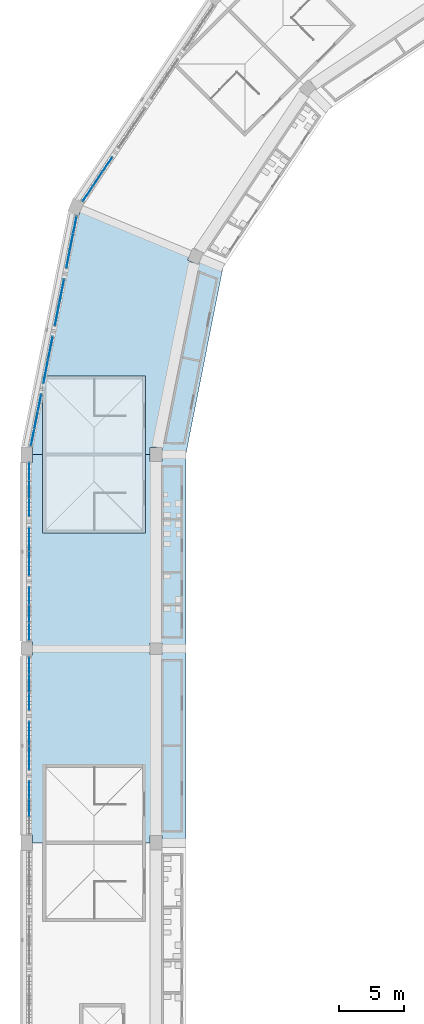
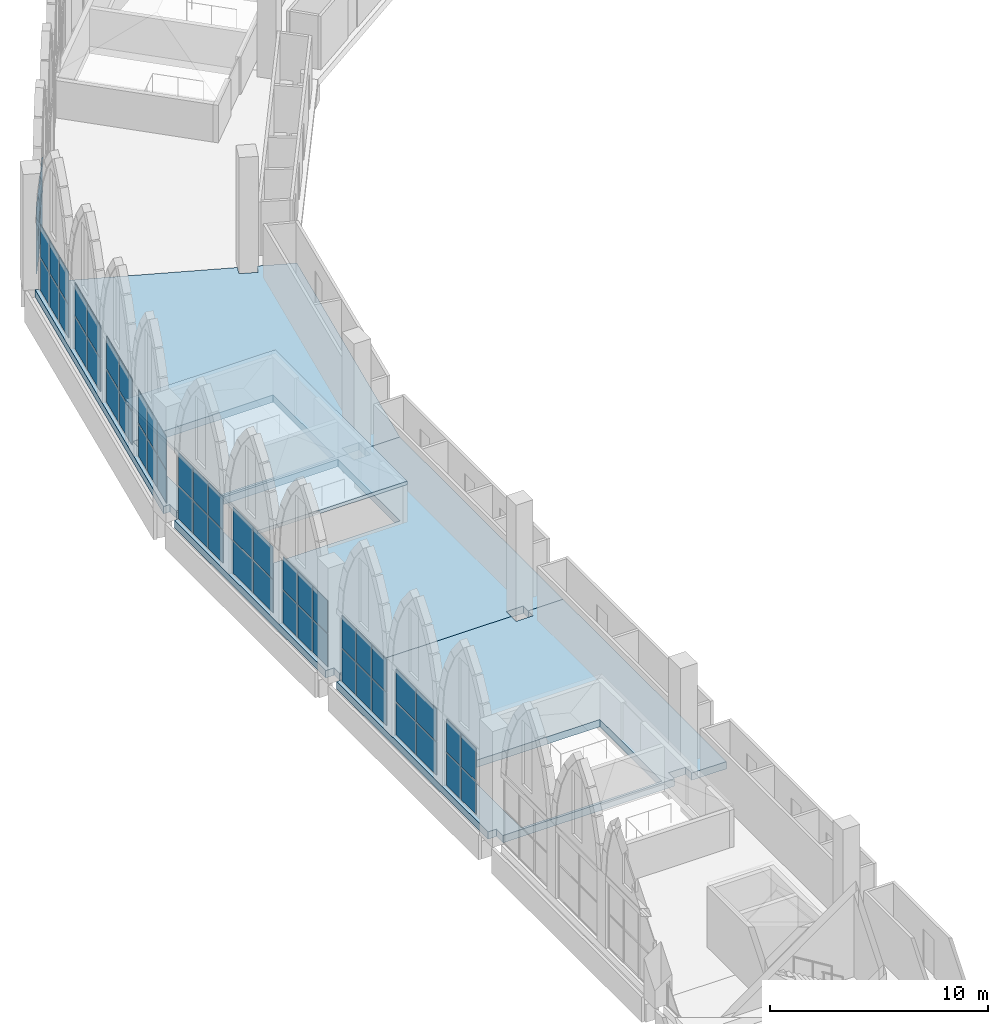
# One storey, part 57 of 130: 56 plates, 4 slabs, 11 elements without a shape of their own.
"""IFC4 building model written with IfcOpenShell, lengths in metres."""

import ifcopenshell
import ifcopenshell.guid

model = None  # the IFC model being written
_history = None  # IfcOwnerHistory: only IFC2X3 demands one
_inside = {}  # id of a spatial element -> (the spatial element, [elements in it])
_under = {}  # id of a project, library or spatial element -> (it, [spatial elements below it])
_declared = {}  # id of a project -> (the project, [libraries it declares])
_typed = {}  # id of a type object -> (the type object, [elements of that type])
_made_of = {}  # id of a material, layer set ... -> (it, [elements and type objects made of it])


def new_model(schema):
    """Start an empty IFC model of exactly this schema.

    Asked for "IFC4X3", IfcOpenShell would pick the latest addendum, in which some entities
    have other attributes; the version numbers below select the first issue.
    IFC2X3 requires an IfcOwnerHistory on every rooted entity: one is made here for all.
    """
    global model, _history
    if schema == "IFC4X3":
        model = ifcopenshell.file(schema_version=(4, 3, 0, 0))
    else:
        model = ifcopenshell.file(schema=schema)
    _inside.clear()
    _under.clear()
    _declared.clear()
    _typed.clear()
    _made_of.clear()
    _history = None
    if model.schema == "IFC2X3":
        org = make("IfcOrganization", Name="unknown")
        user = make(
            "IfcPersonAndOrganization",
            ThePerson=make("IfcPerson", FamilyName="unknown"),
            TheOrganization=org,
        )
        app = make(
            "IfcApplication",
            ApplicationDeveloper=org,
            Version="unknown",
            ApplicationFullName="unknown",
            ApplicationIdentifier="unknown",
        )
        _history = make(
            "IfcOwnerHistory",
            OwningUser=user,
            OwningApplication=app,
            ChangeAction="ADDED",
            CreationDate=0,
        )
    return model


def make(cls, **values):
    """One entity of the class cls with the attributes given. An attribute that is None is left unset."""
    return model.create_entity(
        cls, **{name: value for name, value in values.items() if value is not None}
    )


def rooted(cls, **values):
    """An entity with a GlobalId (a new one), such as an element, a storey or a relation."""
    return make(cls, GlobalId=ifcopenshell.guid.new(), OwnerHistory=_history, **values)


def si_unit(unit_type, name, prefix=None):
    """IfcSIUnit, for example si_unit("LENGTHUNIT", "METRE", prefix="MILLI")."""
    return make("IfcSIUnit", UnitType=unit_type, Prefix=prefix, Name=name)


def assignment(units):
    """IfcUnitAssignment: the units of a project."""
    return None if units is None else make("IfcUnitAssignment", Units=units)


def point(xyz):
    """IfcCartesianPoint."""
    return None if xyz is None else make("IfcCartesianPoint", Coordinates=xyz)


def direction(xyz):
    """IfcDirection."""
    return None if xyz is None else make("IfcDirection", DirectionRatios=xyz)


def frame(location, z_axis=None, x_axis=None):
    """IfcAxis2Placement3D, a coordinate frame: its origin and axes. An axis left out is left unset."""
    return make(
        "IfcAxis2Placement3D",
        Location=point(location),
        Axis=direction(z_axis),
        RefDirection=direction(x_axis),
    )


def frame_2d(location, x_axis=None):
    """IfcAxis2Placement2D, a coordinate frame in the plane: its origin and x axis."""
    return make(
        "IfcAxis2Placement2D", Location=point(location), RefDirection=direction(x_axis)
    )


def origin():
    """The frame at (0, 0, 0) with its axes left unset."""
    return frame((0.0, 0.0, 0.0))


def origin_2d():
    """The frame at (0, 0) in the plane with its x axis left unset."""
    return frame_2d((0.0, 0.0))


def place(relative_to, where):
    """IfcLocalPlacement: puts the frame where relative to a parent placement (None: the world)."""
    return make(
        "IfcLocalPlacement", PlacementRelTo=relative_to, RelativePlacement=where
    )


def context(
    kind, dimensions, precision=None, world=None, true_north=None, identifier=None
):
    """IfcGeometricRepresentationContext, for example the 3D "Model" context."""
    return make(
        "IfcGeometricRepresentationContext",
        ContextIdentifier=identifier,
        ContextType=kind,
        CoordinateSpaceDimension=dimensions,
        Precision=precision,
        WorldCoordinateSystem=world,
        TrueNorth=true_north,
    )


def subcontext(parent, identifier, kind, view, scale=None):
    """IfcGeometricRepresentationSubContext, for example "Body" below "Model"."""
    return make(
        "IfcGeometricRepresentationSubContext",
        ContextIdentifier=identifier,
        ContextType=kind,
        ParentContext=parent,
        TargetScale=scale,
        TargetView=view,
    )


def project(units=None, contexts=None):
    """IfcProject with its units and contexts."""
    return rooted(
        "IfcProject",
        Name="project",
        RepresentationContexts=contexts,
        UnitsInContext=assignment(units),
    )


def spatial(cls, under=None, at=None, **own):
    """A site, building, storey or space (cls), placed at a placement, below another one or the project."""
    s = rooted(cls, ObjectPlacement=at, **own)
    if under is not None:
        _under.setdefault(under.id(), (under, []))[1].append(s)
    return s


def polyline(points):
    """IfcPolyline through the points."""
    return make("IfcPolyline", Points=[point(p) for p in points])


def profile(cls, at=None, kind="AREA", **sizes):
    """A parametric profile (cls). Its sizes go by their IFC names, for example OverallWidth=200.0."""
    return make(cls, ProfileType=kind, Position=at, **sizes)


def rectangle(**sizes):
    """IfcRectangleProfileDef."""
    return profile("IfcRectangleProfileDef", **sizes)


def outline(outer, holes=None, kind="AREA"):
    """IfcArbitraryClosedProfileDef: a profile drawn as a closed curve; with holes, ...WithVoids."""
    if holes is None:
        return make("IfcArbitraryClosedProfileDef", ProfileType=kind, OuterCurve=outer)
    return make(
        "IfcArbitraryProfileDefWithVoids",
        ProfileType=kind,
        OuterCurve=outer,
        InnerCurves=holes,
    )


def extrude(swept, where, along, depth):
    """IfcExtrudedAreaSolid: the profile swept, set in the frame where, extruded along a direction by depth."""
    return make(
        "IfcExtrudedAreaSolid",
        SweptArea=swept,
        Position=where,
        ExtrudedDirection=direction(along),
        Depth=depth,
    )


def shape(context_of_items, identifier, shape_type, items):
    """IfcShapeRepresentation: the items that make up one representation, for example the "Body"."""
    return make(
        "IfcShapeRepresentation",
        ContextOfItems=context_of_items,
        RepresentationIdentifier=identifier,
        RepresentationType=shape_type,
        Items=items,
    )


def material(Name=None, Category=None):
    """IfcMaterial."""
    return make("IfcMaterial", Name=Name, Category=Category)


def layer(
    of_material, thickness, ventilated=None, Name=None, Category=None, Priority=None
):
    """IfcMaterialLayer: one layer of a wall or slab, of a material (None: an air gap)."""
    return make(
        "IfcMaterialLayer",
        Material=of_material,
        LayerThickness=thickness,
        IsVentilated=ventilated,
        Name=Name,
        Category=Category,
        Priority=Priority,
    )


def layer_set(layers, Name=None):
    """IfcMaterialLayerSet."""
    return make("IfcMaterialLayerSet", MaterialLayers=layers, LayerSetName=Name)


def made_of(thing, what):
    """Note that an element or type object is made of a material, layer set ...; save() writes the relation."""
    if what is not None:
        _made_of.setdefault(what.id(), (what, []))[1].append(thing)
    return thing


def type_object(cls, material=None, **own):
    """A type object (cls), such as IfcWallType, which elements share."""
    return made_of(rooted(cls, **own), material)


def element(
    cls,
    number,
    at=None,
    inside=None,
    cuts=None,
    type_object=None,
    material=None,
    context=None,
    identifier="Body",
    shape_type=None,
    held_by="IfcProductDefinitionShape",
    body=None,
    shapes=None,
    **own,
):
    """One element of the class cls, such as IfcWall. Its Tag is "e" and its number.

    at: its placement. inside: the storey or other place that contains it. cuts: it is an
    opening in that element (IfcRelVoidsElement). A single representation is given by context,
    identifier, shape_type and body (its items); several are given by shapes. held_by: the class
    of the entity that holds the representations. save() writes the other relations.
    """
    e = rooted(cls, Tag="e%d" % number, ObjectPlacement=at, **own)
    if body is not None:
        shapes = [shape(context, identifier, shape_type, body)]
    if shapes is not None:
        e.Representation = make(held_by, Representations=shapes)
    if inside is not None:
        _inside.setdefault(inside.id(), (inside, []))[1].append(e)
    if cuts is not None:
        rooted(
            "IfcRelVoidsElement", RelatingBuildingElement=cuts, RelatedOpeningElement=e
        )
    if type_object is not None:
        _typed.setdefault(type_object.id(), (type_object, []))[1].append(e)
    return made_of(e, material)


def aggregate(whole, parts):
    """IfcRelAggregates: a whole, such as a stair, and the parts it consists of."""
    return rooted("IfcRelAggregates", RelatingObject=whole, RelatedObjects=parts)


def save(model, path):
    """Write the relations noted so far, then the file.

    IfcRelAggregates (storeys below a building ...), IfcRelContainedInSpatialStructure (elements
    in a storey), IfcRelDefinesByType, IfcRelAssociatesMaterial and IfcRelDeclares: one each for
    every whole, place, type object, material and project.
    """
    for whole, parts in _under.values():
        aggregate(whole, parts)
    for where, things in _inside.values():
        rooted(
            "IfcRelContainedInSpatialStructure",
            RelatedElements=things,
            RelatingStructure=where,
        )
    for kind, things in _typed.values():
        rooted("IfcRelDefinesByType", RelatedObjects=things, RelatingType=kind)
    for what, things in _made_of.values():
        rooted("IfcRelAssociatesMaterial", RelatedObjects=things, RelatingMaterial=what)
    for by, libraries in _declared.values():
        rooted("IfcRelDeclares", RelatingContext=by, RelatedDefinitions=libraries)
    model.write(path)


model = new_model("IFC4")

# Units and contexts
model_context = context("Model", 3, precision=1e-05, world=origin(), true_north=direction((0.0, 1.0)))
body_context = subcontext(model_context, "Body", "Model", "MODEL_VIEW")
ifc_project = project(units=[si_unit("LENGTHUNIT", "METRE"), si_unit("AREAUNIT", "SQUARE_METRE"), si_unit("VOLUMEUNIT", "CUBIC_METRE"), si_unit("PLANEANGLEUNIT", "RADIAN"), si_unit("MASSUNIT", "GRAM", prefix="KILO")], contexts=[model_context])

# Site, building, storey
site_placement = place(None, origin())
site = spatial("IfcSite", under=ifc_project, at=site_placement, CompositionType="ELEMENT")
building_placement = place(site_placement, origin())
building = spatial("IfcBuilding", under=site, at=building_placement, Name="Ogive Plaza Stadium", CompositionType="ELEMENT")
storey_placement = place(building_placement, frame((0.0, 0.0, 22.5)))
storey = spatial("IfcBuildingStorey", under=building, at=storey_placement, Name="L05", CompositionType="ELEMENT", Elevation=22.5)

# Slab
ifc_material_1 = material(Name="Concrete C40/50", Category="concrete")
ifc_layer_1 = layer(ifc_material_1, 0.199951171875)
ifc_layer_set_1 = layer_set([ifc_layer_1], Name="Concrete C40/50")
slab_type_1 = type_object("IfcSlabType", Name="Core roof slab", PredefinedType="ROOF", material=ifc_layer_set_1)
slab_1_placement = place(storey_placement, frame((0.0, 0.0, 2.10009765625)))
element("IfcSlab", 1, at=slab_1_placement, inside=storey, type_object=slab_type_1, Name="Stair core R28 roof", PredefinedType="ROOF", context=body_context, shape_type="SweptSolid", body=[
    extrude(outline(polyline([(-74.800048828125, 58.574951171875), (-82.760009765625, 58.574951171875), (-82.760009765625, 46.425048828125), (-74.800048828125, 46.425048828125), (-74.800048828125, 58.574951171875)])), origin(), (0.0, 0.0, 1.0), 0.199951171875),
])

# Curtain wall, plates
ifc_material_2 = material(Name="Bronze-anodised aluminium with laminated glass", Category="aluminium")
curtain_wall_type = type_object("IfcCurtainWallType", Name="Lancet curtain wall", PredefinedType="NOTDEFINED", material=ifc_material_2)
curtain_wall_1_placement = place(storey_placement, origin())
curtain_wall_1 = element("IfcCurtainWall", 2, at=curtain_wall_1_placement, inside=storey, type_object=curtain_wall_type, Name="CURTAIN WALL B26 L05", PredefinedType="NOTDEFINED")
ifc_material_3 = material(Name="Laminated glass", Category="glass")
ifc_layer_2 = layer(ifc_material_3, 0.028076171875)
ifc_layer_set_2 = layer_set([ifc_layer_2], Name="Laminated glass panel 28")
plate_type = type_object("IfcPlateType", Name="Laminated glass panel 28", PredefinedType="CURTAIN_PANEL", material=ifc_layer_set_2)
plate_1_placement = place(storey_placement, frame((-83.800048828125, 25.199951171875, 0.0498046875), z_axis=(0.0, 0.0, 1.0), x_axis=(0.0, 1.0, 0.0)))
plate_1 = element("IfcPlate", 3, at=plate_1_placement, type_object=plate_type, Name="CW-B26-L05.1 panel 2.1", PredefinedType="CURTAIN_PANEL", context=body_context, shape_type="SweptSolid", body=[
    extrude(rectangle(XDim=1.35009765625, YDim=0.028076171875, at=origin_2d()), origin(), (0.0, 0.0, 1.0), 1.824951171875),
])
plate_2_placement = place(storey_placement, frame((-83.800048828125, 25.199951171875, 1.9248046875), z_axis=(0.0, 0.0, 1.0), x_axis=(0.0, 1.0, 0.0)))
plate_2 = element("IfcPlate", 4, at=plate_2_placement, type_object=plate_type, Name="CW-B26-L05.1 panel 2.2", PredefinedType="CURTAIN_PANEL", context=body_context, shape_type="SweptSolid", body=[
    extrude(rectangle(XDim=1.35009765625, YDim=0.028076171875, at=origin_2d()), origin(), (0.0, 0.0, 1.0), 1.824951171875),
])
plate_3_placement = place(storey_placement, frame((-83.800048828125, 26.58740234375, 0.0498046875), z_axis=(0.0, 0.0, 1.0), x_axis=(0.0, 1.0, 0.0)))
plate_3 = element("IfcPlate", 5, at=plate_3_placement, type_object=plate_type, Name="CW-B26-L05.1 panel 3.1", PredefinedType="CURTAIN_PANEL", context=body_context, shape_type="SweptSolid", body=[
    extrude(rectangle(XDim=1.324951171875, YDim=0.028076171875, at=origin_2d()), origin(), (0.0, 0.0, 1.0), 1.824951171875),
])
plate_4_placement = place(storey_placement, frame((-83.800048828125, 26.58740234375, 1.9248046875), z_axis=(0.0, 0.0, 1.0), x_axis=(0.0, 1.0, 0.0)))
plate_4 = element("IfcPlate", 6, at=plate_4_placement, type_object=plate_type, Name="CW-B26-L05.1 panel 3.2", PredefinedType="CURTAIN_PANEL", context=body_context, shape_type="SweptSolid", body=[
    extrude(rectangle(XDim=1.324951171875, YDim=0.028076171875, at=origin_2d()), origin(), (0.0, 0.0, 1.0), 1.824951171875),
])
aggregate(curtain_wall_1, [plate_1, plate_2, plate_3, plate_4])

curtain_wall_2_placement = place(storey_placement, origin())
curtain_wall_2 = element("IfcCurtainWall", 7, at=curtain_wall_2_placement, inside=storey, type_object=curtain_wall_type, Name="CURTAIN WALL B26 L05", PredefinedType="NOTDEFINED")
plate_5_placement = place(storey_placement, frame((-83.800048828125, 29.0625, 0.0498046875), z_axis=(0.0, 0.0, 1.0), x_axis=(0.0, 1.0, 0.0)))
plate_5 = element("IfcPlate", 8, at=plate_5_placement, type_object=plate_type, Name="CW-B26-L05.2 panel 1.1", PredefinedType="CURTAIN_PANEL", context=body_context, shape_type="SweptSolid", body=[
    extrude(rectangle(XDim=1.824951171875, YDim=0.028076171875, at=origin_2d()), origin(), (0.0, 0.0, 1.0), 1.824951171875),
])
plate_6_placement = place(storey_placement, frame((-83.800048828125, 29.0625, 1.9248046875), z_axis=(0.0, 0.0, 1.0), x_axis=(0.0, 1.0, 0.0)))
plate_6 = element("IfcPlate", 9, at=plate_6_placement, type_object=plate_type, Name="CW-B26-L05.2 panel 1.2", PredefinedType="CURTAIN_PANEL", context=body_context, shape_type="SweptSolid", body=[
    extrude(rectangle(XDim=1.824951171875, YDim=0.028076171875, at=origin_2d()), origin(), (0.0, 0.0, 1.0), 1.824951171875),
])
plate_7_placement = place(storey_placement, frame((-83.800048828125, 30.9375, 0.0498046875), z_axis=(0.0, 0.0, 1.0), x_axis=(0.0, 1.0, 0.0)))
plate_7 = element("IfcPlate", 10, at=plate_7_placement, type_object=plate_type, Name="CW-B26-L05.2 panel 2.1", PredefinedType="CURTAIN_PANEL", context=body_context, shape_type="SweptSolid", body=[
    extrude(rectangle(XDim=1.824951171875, YDim=0.028076171875, at=origin_2d()), origin(), (0.0, 0.0, 1.0), 1.824951171875),
])
plate_8_placement = place(storey_placement, frame((-83.800048828125, 30.9375, 1.9248046875), z_axis=(0.0, 0.0, 1.0), x_axis=(0.0, 1.0, 0.0)))
plate_8 = element("IfcPlate", 11, at=plate_8_placement, type_object=plate_type, Name="CW-B26-L05.2 panel 2.2", PredefinedType="CURTAIN_PANEL", context=body_context, shape_type="SweptSolid", body=[
    extrude(rectangle(XDim=1.824951171875, YDim=0.028076171875, at=origin_2d()), origin(), (0.0, 0.0, 1.0), 1.824951171875),
])
aggregate(curtain_wall_2, [plate_5, plate_6, plate_7, plate_8])

curtain_wall_3_placement = place(storey_placement, origin())
curtain_wall_3 = element("IfcCurtainWall", 12, at=curtain_wall_3_placement, inside=storey, type_object=curtain_wall_type, Name="CURTAIN WALL B26 L05", PredefinedType="NOTDEFINED")
plate_9_placement = place(storey_placement, frame((-83.800048828125, 33.41259765625, 0.0498046875), z_axis=(0.0, 0.0, 1.0), x_axis=(0.0, 1.0, 0.0)))
plate_9 = element("IfcPlate", 13, at=plate_9_placement, type_object=plate_type, Name="CW-B26-L05.3 panel 1.1", PredefinedType="CURTAIN_PANEL", context=body_context, shape_type="SweptSolid", body=[
    extrude(rectangle(XDim=1.324951171875, YDim=0.028076171875, at=origin_2d()), origin(), (0.0, 0.0, 1.0), 1.824951171875),
])
plate_10_placement = place(storey_placement, frame((-83.800048828125, 33.41259765625, 1.9248046875), z_axis=(0.0, 0.0, 1.0), x_axis=(0.0, 1.0, 0.0)))
plate_10 = element("IfcPlate", 14, at=plate_10_placement, type_object=plate_type, Name="CW-B26-L05.3 panel 1.2", PredefinedType="CURTAIN_PANEL", context=body_context, shape_type="SweptSolid", body=[
    extrude(rectangle(XDim=1.324951171875, YDim=0.028076171875, at=origin_2d()), origin(), (0.0, 0.0, 1.0), 1.824951171875),
])
plate_11_placement = place(storey_placement, frame((-83.800048828125, 34.800048828125, 0.0498046875), z_axis=(0.0, 0.0, 1.0), x_axis=(0.0, 1.0, 0.0)))
plate_11 = element("IfcPlate", 15, at=plate_11_placement, type_object=plate_type, Name="CW-B26-L05.3 panel 2.1", PredefinedType="CURTAIN_PANEL", context=body_context, shape_type="SweptSolid", body=[
    extrude(rectangle(XDim=1.35009765625, YDim=0.028076171875, at=origin_2d()), origin(), (0.0, 0.0, 1.0), 1.824951171875),
])
plate_12_placement = place(storey_placement, frame((-83.800048828125, 34.800048828125, 1.9248046875), z_axis=(0.0, 0.0, 1.0), x_axis=(0.0, 1.0, 0.0)))
plate_12 = element("IfcPlate", 16, at=plate_12_placement, type_object=plate_type, Name="CW-B26-L05.3 panel 2.2", PredefinedType="CURTAIN_PANEL", context=body_context, shape_type="SweptSolid", body=[
    extrude(rectangle(XDim=1.35009765625, YDim=0.028076171875, at=origin_2d()), origin(), (0.0, 0.0, 1.0), 1.824951171875),
])
plate_13_placement = place(storey_placement, frame((-83.800048828125, 36.1875, 0.0498046875), z_axis=(0.0, 0.0, 1.0), x_axis=(0.0, 1.0, 0.0)))
plate_13 = element("IfcPlate", 17, at=plate_13_placement, type_object=plate_type, Name="CW-B26-L05.3 panel 3.1", PredefinedType="CURTAIN_PANEL", context=body_context, shape_type="SweptSolid", body=[
    extrude(rectangle(XDim=1.324951171875, YDim=0.028076171875, at=origin_2d()), origin(), (0.0, 0.0, 1.0), 1.824951171875),
])
plate_14_placement = place(storey_placement, frame((-83.800048828125, 36.1875, 1.9248046875), z_axis=(0.0, 0.0, 1.0), x_axis=(0.0, 1.0, 0.0)))
plate_14 = element("IfcPlate", 18, at=plate_14_placement, type_object=plate_type, Name="CW-B26-L05.3 panel 3.2", PredefinedType="CURTAIN_PANEL", context=body_context, shape_type="SweptSolid", body=[
    extrude(rectangle(XDim=1.324951171875, YDim=0.028076171875, at=origin_2d()), origin(), (0.0, 0.0, 1.0), 1.824951171875),
])
aggregate(curtain_wall_3, [plate_9, plate_10, plate_11, plate_12, plate_13, plate_14])

curtain_wall_4_placement = place(storey_placement, origin())
curtain_wall_4 = element("IfcCurtainWall", 19, at=curtain_wall_4_placement, inside=storey, type_object=curtain_wall_type, Name="CURTAIN WALL B27 L05", PredefinedType="NOTDEFINED")
plate_15_placement = place(storey_placement, frame((-83.800048828125, 38.8125, 0.0498046875), z_axis=(0.0, 0.0, 1.0), x_axis=(0.0, 1.0, 0.0)))
plate_15 = element("IfcPlate", 20, at=plate_15_placement, type_object=plate_type, Name="CW-B27-L05.1 panel 1.1", PredefinedType="CURTAIN_PANEL", context=body_context, shape_type="SweptSolid", body=[
    extrude(rectangle(XDim=1.324951171875, YDim=0.028076171875, at=origin_2d()), origin(), (0.0, 0.0, 1.0), 1.824951171875),
])
plate_16_placement = place(storey_placement, frame((-83.800048828125, 38.8125, 1.9248046875), z_axis=(0.0, 0.0, 1.0), x_axis=(0.0, 1.0, 0.0)))
plate_16 = element("IfcPlate", 21, at=plate_16_placement, type_object=plate_type, Name="CW-B27-L05.1 panel 1.2", PredefinedType="CURTAIN_PANEL", context=body_context, shape_type="SweptSolid", body=[
    extrude(rectangle(XDim=1.324951171875, YDim=0.028076171875, at=origin_2d()), origin(), (0.0, 0.0, 1.0), 1.824951171875),
])
plate_17_placement = place(storey_placement, frame((-83.800048828125, 40.199951171875, 0.0498046875), z_axis=(0.0, 0.0, 1.0), x_axis=(0.0, 1.0, 0.0)))
plate_17 = element("IfcPlate", 22, at=plate_17_placement, type_object=plate_type, Name="CW-B27-L05.1 panel 2.1", PredefinedType="CURTAIN_PANEL", context=body_context, shape_type="SweptSolid", body=[
    extrude(rectangle(XDim=1.35009765625, YDim=0.028076171875, at=origin_2d()), origin(), (0.0, 0.0, 1.0), 1.824951171875),
])
plate_18_placement = place(storey_placement, frame((-83.800048828125, 40.199951171875, 1.9248046875), z_axis=(0.0, 0.0, 1.0), x_axis=(0.0, 1.0, 0.0)))
plate_18 = element("IfcPlate", 23, at=plate_18_placement, type_object=plate_type, Name="CW-B27-L05.1 panel 2.2", PredefinedType="CURTAIN_PANEL", context=body_context, shape_type="SweptSolid", body=[
    extrude(rectangle(XDim=1.35009765625, YDim=0.028076171875, at=origin_2d()), origin(), (0.0, 0.0, 1.0), 1.824951171875),
])
plate_19_placement = place(storey_placement, frame((-83.800048828125, 41.58740234375, 0.0498046875), z_axis=(0.0, 0.0, 1.0), x_axis=(0.0, 1.0, 0.0)))
plate_19 = element("IfcPlate", 24, at=plate_19_placement, type_object=plate_type, Name="CW-B27-L05.1 panel 3.1", PredefinedType="CURTAIN_PANEL", context=body_context, shape_type="SweptSolid", body=[
    extrude(rectangle(XDim=1.324951171875, YDim=0.028076171875, at=origin_2d()), origin(), (0.0, 0.0, 1.0), 1.824951171875),
])
plate_20_placement = place(storey_placement, frame((-83.800048828125, 41.58740234375, 1.9248046875), z_axis=(0.0, 0.0, 1.0), x_axis=(0.0, 1.0, 0.0)))
plate_20 = element("IfcPlate", 25, at=plate_20_placement, type_object=plate_type, Name="CW-B27-L05.1 panel 3.2", PredefinedType="CURTAIN_PANEL", context=body_context, shape_type="SweptSolid", body=[
    extrude(rectangle(XDim=1.324951171875, YDim=0.028076171875, at=origin_2d()), origin(), (0.0, 0.0, 1.0), 1.824951171875),
])
aggregate(curtain_wall_4, [plate_15, plate_16, plate_17, plate_18, plate_19, plate_20])

curtain_wall_5_placement = place(storey_placement, origin())
curtain_wall_5 = element("IfcCurtainWall", 26, at=curtain_wall_5_placement, inside=storey, type_object=curtain_wall_type, Name="CURTAIN WALL B27 L05", PredefinedType="NOTDEFINED")
plate_21_placement = place(storey_placement, frame((-83.800048828125, 44.0625, 0.0498046875), z_axis=(0.0, 0.0, 1.0), x_axis=(0.0, 1.0, 0.0)))
plate_21 = element("IfcPlate", 27, at=plate_21_placement, type_object=plate_type, Name="CW-B27-L05.2 panel 1.1", PredefinedType="CURTAIN_PANEL", context=body_context, shape_type="SweptSolid", body=[
    extrude(rectangle(XDim=1.824951171875, YDim=0.028076171875, at=origin_2d()), origin(), (0.0, 0.0, 1.0), 1.824951171875),
])
plate_22_placement = place(storey_placement, frame((-83.800048828125, 44.0625, 1.9248046875), z_axis=(0.0, 0.0, 1.0), x_axis=(0.0, 1.0, 0.0)))
plate_22 = element("IfcPlate", 28, at=plate_22_placement, type_object=plate_type, Name="CW-B27-L05.2 panel 1.2", PredefinedType="CURTAIN_PANEL", context=body_context, shape_type="SweptSolid", body=[
    extrude(rectangle(XDim=1.824951171875, YDim=0.028076171875, at=origin_2d()), origin(), (0.0, 0.0, 1.0), 1.824951171875),
])
plate_23_placement = place(storey_placement, frame((-83.800048828125, 45.9375, 0.0498046875), z_axis=(0.0, 0.0, 1.0), x_axis=(0.0, 1.0, 0.0)))
plate_23 = element("IfcPlate", 29, at=plate_23_placement, type_object=plate_type, Name="CW-B27-L05.2 panel 2.1", PredefinedType="CURTAIN_PANEL", context=body_context, shape_type="SweptSolid", body=[
    extrude(rectangle(XDim=1.824951171875, YDim=0.028076171875, at=origin_2d()), origin(), (0.0, 0.0, 1.0), 1.824951171875),
])
plate_24_placement = place(storey_placement, frame((-83.800048828125, 45.9375, 1.9248046875), z_axis=(0.0, 0.0, 1.0), x_axis=(0.0, 1.0, 0.0)))
plate_24 = element("IfcPlate", 30, at=plate_24_placement, type_object=plate_type, Name="CW-B27-L05.2 panel 2.2", PredefinedType="CURTAIN_PANEL", context=body_context, shape_type="SweptSolid", body=[
    extrude(rectangle(XDim=1.824951171875, YDim=0.028076171875, at=origin_2d()), origin(), (0.0, 0.0, 1.0), 1.824951171875),
])
aggregate(curtain_wall_5, [plate_21, plate_22, plate_23, plate_24])

curtain_wall_6_placement = place(storey_placement, origin())
curtain_wall_6 = element("IfcCurtainWall", 31, at=curtain_wall_6_placement, inside=storey, type_object=curtain_wall_type, Name="CURTAIN WALL B27 L05", PredefinedType="NOTDEFINED")
plate_25_placement = place(storey_placement, frame((-83.800048828125, 48.41259765625, 0.0498046875), z_axis=(0.0, 0.0, 1.0), x_axis=(0.0, 1.0, 0.0)))
plate_25 = element("IfcPlate", 32, at=plate_25_placement, type_object=plate_type, Name="CW-B27-L05.3 panel 1.1", PredefinedType="CURTAIN_PANEL", context=body_context, shape_type="SweptSolid", body=[
    extrude(rectangle(XDim=1.324951171875, YDim=0.028076171875, at=origin_2d()), origin(), (0.0, 0.0, 1.0), 1.824951171875),
])
plate_26_placement = place(storey_placement, frame((-83.800048828125, 48.41259765625, 1.9248046875), z_axis=(0.0, 0.0, 1.0), x_axis=(0.0, 1.0, 0.0)))
plate_26 = element("IfcPlate", 33, at=plate_26_placement, type_object=plate_type, Name="CW-B27-L05.3 panel 1.2", PredefinedType="CURTAIN_PANEL", context=body_context, shape_type="SweptSolid", body=[
    extrude(rectangle(XDim=1.324951171875, YDim=0.028076171875, at=origin_2d()), origin(), (0.0, 0.0, 1.0), 1.824951171875),
])
plate_27_placement = place(storey_placement, frame((-83.800048828125, 49.800048828125, 0.0498046875), z_axis=(0.0, 0.0, 1.0), x_axis=(0.0, 1.0, 0.0)))
plate_27 = element("IfcPlate", 34, at=plate_27_placement, type_object=plate_type, Name="CW-B27-L05.3 panel 2.1", PredefinedType="CURTAIN_PANEL", context=body_context, shape_type="SweptSolid", body=[
    extrude(rectangle(XDim=1.35009765625, YDim=0.028076171875, at=origin_2d()), origin(), (0.0, 0.0, 1.0), 1.824951171875),
])
plate_28_placement = place(storey_placement, frame((-83.800048828125, 49.800048828125, 1.9248046875), z_axis=(0.0, 0.0, 1.0), x_axis=(0.0, 1.0, 0.0)))
plate_28 = element("IfcPlate", 35, at=plate_28_placement, type_object=plate_type, Name="CW-B27-L05.3 panel 2.2", PredefinedType="CURTAIN_PANEL", context=body_context, shape_type="SweptSolid", body=[
    extrude(rectangle(XDim=1.35009765625, YDim=0.028076171875, at=origin_2d()), origin(), (0.0, 0.0, 1.0), 1.824951171875),
])
plate_29_placement = place(storey_placement, frame((-83.800048828125, 51.1875, 0.0498046875), z_axis=(0.0, 0.0, 1.0), x_axis=(0.0, 1.0, 0.0)))
plate_29 = element("IfcPlate", 36, at=plate_29_placement, type_object=plate_type, Name="CW-B27-L05.3 panel 3.1", PredefinedType="CURTAIN_PANEL", context=body_context, shape_type="SweptSolid", body=[
    extrude(rectangle(XDim=1.324951171875, YDim=0.028076171875, at=origin_2d()), origin(), (0.0, 0.0, 1.0), 1.824951171875),
])
plate_30_placement = place(storey_placement, frame((-83.800048828125, 51.1875, 1.9248046875), z_axis=(0.0, 0.0, 1.0), x_axis=(0.0, 1.0, 0.0)))
plate_30 = element("IfcPlate", 37, at=plate_30_placement, type_object=plate_type, Name="CW-B27-L05.3 panel 3.2", PredefinedType="CURTAIN_PANEL", context=body_context, shape_type="SweptSolid", body=[
    extrude(rectangle(XDim=1.324951171875, YDim=0.028076171875, at=origin_2d()), origin(), (0.0, 0.0, 1.0), 1.824951171875),
])
aggregate(curtain_wall_6, [plate_25, plate_26, plate_27, plate_28, plate_29, plate_30])

curtain_wall_7_placement = place(storey_placement, origin())
curtain_wall_7 = element("IfcCurtainWall", 38, at=curtain_wall_7_placement, inside=storey, type_object=curtain_wall_type, Name="CURTAIN WALL B28 L05", PredefinedType="NOTDEFINED")
plate_31_placement = place(storey_placement, frame((-83.5322265625, 53.82666015625, 0.0498046875), z_axis=(0.0, 0.0, 1.0), x_axis=(0.195090322016, 0.980785280403, 0.0)))
plate_31 = element("IfcPlate", 39, at=plate_31_placement, type_object=plate_type, Name="CW-B28-L05.1 panel 1.1", PredefinedType="CURTAIN_PANEL", context=body_context, shape_type="SweptSolid", body=[
    extrude(rectangle(XDim=1.30224609375, YDim=0.028076171875, at=origin_2d()), origin(), (0.0, 0.0, 1.0), 1.824951171875),
])
plate_32_placement = place(storey_placement, frame((-83.5322265625, 53.82666015625, 1.9248046875), z_axis=(0.0, 0.0, 1.0), x_axis=(0.195090322016, 0.980785280403, 0.0)))
plate_32 = element("IfcPlate", 40, at=plate_32_placement, type_object=plate_type, Name="CW-B28-L05.1 panel 1.2", PredefinedType="CURTAIN_PANEL", context=body_context, shape_type="SweptSolid", body=[
    extrude(rectangle(XDim=1.30224609375, YDim=0.028076171875, at=origin_2d()), origin(), (0.0, 0.0, 1.0), 1.824951171875),
])
plate_33_placement = place(storey_placement, frame((-83.265869140625, 55.1650390625, 0.0498046875), z_axis=(0.0, 0.0, 1.0), x_axis=(0.195090322016, 0.980785280403, 0.0)))
plate_33 = element("IfcPlate", 41, at=plate_33_placement, type_object=plate_type, Name="CW-B28-L05.1 panel 2.1", PredefinedType="CURTAIN_PANEL", context=body_context, shape_type="SweptSolid", body=[
    extrude(rectangle(XDim=1.3271484375, YDim=0.028076171875, at=origin_2d()), origin(), (0.0, 0.0, 1.0), 1.824951171875),
])
plate_34_placement = place(storey_placement, frame((-83.265869140625, 55.1650390625, 1.9248046875), z_axis=(0.0, 0.0, 1.0), x_axis=(0.195090322016, 0.980785280403, 0.0)))
plate_34 = element("IfcPlate", 42, at=plate_34_placement, type_object=plate_type, Name="CW-B28-L05.1 panel 2.2", PredefinedType="CURTAIN_PANEL", context=body_context, shape_type="SweptSolid", body=[
    extrude(rectangle(XDim=1.3271484375, YDim=0.028076171875, at=origin_2d()), origin(), (0.0, 0.0, 1.0), 1.824951171875),
])
plate_35_placement = place(storey_placement, frame((-82.999755859375, 56.503662109375, 0.0498046875), z_axis=(0.0, 0.0, 1.0), x_axis=(0.195090322016, 0.980785280403, 0.0)))
plate_35 = element("IfcPlate", 43, at=plate_35_placement, type_object=plate_type, Name="CW-B28-L05.1 panel 3.1", PredefinedType="CURTAIN_PANEL", context=body_context, shape_type="SweptSolid", body=[
    extrude(rectangle(XDim=1.30224609375, YDim=0.028076171875, at=origin_2d()), origin(), (0.0, 0.0, 1.0), 1.824951171875),
])
plate_36_placement = place(storey_placement, frame((-82.999755859375, 56.503662109375, 1.9248046875), z_axis=(0.0, 0.0, 1.0), x_axis=(0.195090322016, 0.980785280403, 0.0)))
plate_36 = element("IfcPlate", 44, at=plate_36_placement, type_object=plate_type, Name="CW-B28-L05.1 panel 3.2", PredefinedType="CURTAIN_PANEL", context=body_context, shape_type="SweptSolid", body=[
    extrude(rectangle(XDim=1.30224609375, YDim=0.028076171875, at=origin_2d()), origin(), (0.0, 0.0, 1.0), 1.824951171875),
])
aggregate(curtain_wall_7, [plate_31, plate_32, plate_33, plate_34, plate_35, plate_36])

curtain_wall_8_placement = place(storey_placement, origin())
curtain_wall_8 = element("IfcCurtainWall", 45, at=curtain_wall_8_placement, inside=storey, type_object=curtain_wall_type, Name="CURTAIN WALL B28 L05", PredefinedType="NOTDEFINED")
plate_37_placement = place(storey_placement, frame((-82.5224609375, 58.903076171875, 0.0498046875), z_axis=(0.0, 0.0, 1.0), x_axis=(0.195090321948, 0.980785280417, 0.0)))
plate_37 = element("IfcPlate", 46, at=plate_37_placement, type_object=plate_type, Name="CW-B28-L05.2 panel 1.1", PredefinedType="CURTAIN_PANEL", context=body_context, shape_type="SweptSolid", body=[
    extrude(rectangle(XDim=1.790771484375, YDim=0.028076171875, at=origin_2d()), origin(), (0.0, 0.0, 1.0), 1.824951171875),
])
plate_38_placement = place(storey_placement, frame((-82.5224609375, 58.903076171875, 1.9248046875), z_axis=(0.0, 0.0, 1.0), x_axis=(0.195090321948, 0.980785280417, 0.0)))
plate_38 = element("IfcPlate", 47, at=plate_38_placement, type_object=plate_type, Name="CW-B28-L05.2 panel 1.2", PredefinedType="CURTAIN_PANEL", context=body_context, shape_type="SweptSolid", body=[
    extrude(rectangle(XDim=1.790771484375, YDim=0.028076171875, at=origin_2d()), origin(), (0.0, 0.0, 1.0), 1.824951171875),
])
plate_39_placement = place(storey_placement, frame((-82.163330078125, 60.70849609375, 0.0498046875), z_axis=(0.0, 0.0, 1.0), x_axis=(0.195090321948, 0.980785280417, 0.0)))
plate_39 = element("IfcPlate", 48, at=plate_39_placement, type_object=plate_type, Name="CW-B28-L05.2 panel 2.1", PredefinedType="CURTAIN_PANEL", context=body_context, shape_type="SweptSolid", body=[
    extrude(rectangle(XDim=1.790771484375, YDim=0.028076171875, at=origin_2d()), origin(), (0.0, 0.0, 1.0), 1.824951171875),
])
plate_40_placement = place(storey_placement, frame((-82.163330078125, 60.70849609375, 1.9248046875), z_axis=(0.0, 0.0, 1.0), x_axis=(0.195090321948, 0.980785280417, 0.0)))
plate_40 = element("IfcPlate", 49, at=plate_40_placement, type_object=plate_type, Name="CW-B28-L05.2 panel 2.2", PredefinedType="CURTAIN_PANEL", context=body_context, shape_type="SweptSolid", body=[
    extrude(rectangle(XDim=1.790771484375, YDim=0.028076171875, at=origin_2d()), origin(), (0.0, 0.0, 1.0), 1.824951171875),
])
aggregate(curtain_wall_8, [plate_37, plate_38, plate_39, plate_40])

curtain_wall_9_placement = place(storey_placement, origin())
curtain_wall_9 = element("IfcCurtainWall", 50, at=curtain_wall_9_placement, inside=storey, type_object=curtain_wall_type, Name="CURTAIN WALL B28 L05", PredefinedType="NOTDEFINED")
plate_41_placement = place(storey_placement, frame((-81.638427734375, 63.34765625, 0.0498046875), z_axis=(0.0, 0.0, 1.0), x_axis=(0.195090321948, 0.980785280417, 0.0)))
plate_41 = element("IfcPlate", 51, at=plate_41_placement, type_object=plate_type, Name="CW-B28-L05.3 panel 1.1", PredefinedType="CURTAIN_PANEL", context=body_context, shape_type="SweptSolid", body=[
    extrude(rectangle(XDim=1.790771484375, YDim=0.028076171875, at=origin_2d()), origin(), (0.0, 0.0, 1.0), 1.824951171875),
])
plate_42_placement = place(storey_placement, frame((-81.638427734375, 63.34765625, 1.9248046875), z_axis=(0.0, 0.0, 1.0), x_axis=(0.195090321948, 0.980785280417, 0.0)))
plate_42 = element("IfcPlate", 52, at=plate_42_placement, type_object=plate_type, Name="CW-B28-L05.3 panel 1.2", PredefinedType="CURTAIN_PANEL", context=body_context, shape_type="SweptSolid", body=[
    extrude(rectangle(XDim=1.790771484375, YDim=0.028076171875, at=origin_2d()), origin(), (0.0, 0.0, 1.0), 1.824951171875),
])
plate_43_placement = place(storey_placement, frame((-81.279296875, 65.153076171875, 0.0498046875), z_axis=(0.0, 0.0, 1.0), x_axis=(0.195090321948, 0.980785280417, 0.0)))
plate_43 = element("IfcPlate", 53, at=plate_43_placement, type_object=plate_type, Name="CW-B28-L05.3 panel 2.1", PredefinedType="CURTAIN_PANEL", context=body_context, shape_type="SweptSolid", body=[
    extrude(rectangle(XDim=1.790771484375, YDim=0.028076171875, at=origin_2d()), origin(), (0.0, 0.0, 1.0), 1.824951171875),
])
plate_44_placement = place(storey_placement, frame((-81.279296875, 65.153076171875, 1.9248046875), z_axis=(0.0, 0.0, 1.0), x_axis=(0.195090321948, 0.980785280417, 0.0)))
plate_44 = element("IfcPlate", 54, at=plate_44_placement, type_object=plate_type, Name="CW-B28-L05.3 panel 2.2", PredefinedType="CURTAIN_PANEL", context=body_context, shape_type="SweptSolid", body=[
    extrude(rectangle(XDim=1.790771484375, YDim=0.028076171875, at=origin_2d()), origin(), (0.0, 0.0, 1.0), 1.824951171875),
])
aggregate(curtain_wall_9, [plate_41, plate_42, plate_43, plate_44])

curtain_wall_10_placement = place(storey_placement, origin())
curtain_wall_10 = element("IfcCurtainWall", 55, at=curtain_wall_10_placement, inside=storey, type_object=curtain_wall_type, Name="CURTAIN WALL B28 L05", PredefinedType="NOTDEFINED")
plate_45_placement = place(storey_placement, frame((-80.802001953125, 67.552490234375, 0.0498046875), z_axis=(0.0, 0.0, 1.0), x_axis=(0.195090322016, 0.980785280403, 0.0)))
plate_45 = element("IfcPlate", 56, at=plate_45_placement, type_object=plate_type, Name="CW-B28-L05.4 panel 1.1", PredefinedType="CURTAIN_PANEL", context=body_context, shape_type="SweptSolid", body=[
    extrude(rectangle(XDim=1.30224609375, YDim=0.028076171875, at=origin_2d()), origin(), (0.0, 0.0, 1.0), 1.824951171875),
])
plate_46_placement = place(storey_placement, frame((-80.802001953125, 67.552490234375, 1.9248046875), z_axis=(0.0, 0.0, 1.0), x_axis=(0.195090322016, 0.980785280403, 0.0)))
plate_46 = element("IfcPlate", 57, at=plate_46_placement, type_object=plate_type, Name="CW-B28-L05.4 panel 1.2", PredefinedType="CURTAIN_PANEL", context=body_context, shape_type="SweptSolid", body=[
    extrude(rectangle(XDim=1.30224609375, YDim=0.028076171875, at=origin_2d()), origin(), (0.0, 0.0, 1.0), 1.824951171875),
])
plate_47_placement = place(storey_placement, frame((-80.53564453125, 68.89111328125, 0.0498046875), z_axis=(0.0, 0.0, 1.0), x_axis=(0.195090322016, 0.980785280403, 0.0)))
plate_47 = element("IfcPlate", 58, at=plate_47_placement, type_object=plate_type, Name="CW-B28-L05.4 panel 2.1", PredefinedType="CURTAIN_PANEL", context=body_context, shape_type="SweptSolid", body=[
    extrude(rectangle(XDim=1.3271484375, YDim=0.028076171875, at=origin_2d()), origin(), (0.0, 0.0, 1.0), 1.824951171875),
])
plate_48_placement = place(storey_placement, frame((-80.53564453125, 68.89111328125, 1.9248046875), z_axis=(0.0, 0.0, 1.0), x_axis=(0.195090322016, 0.980785280403, 0.0)))
plate_48 = element("IfcPlate", 59, at=plate_48_placement, type_object=plate_type, Name="CW-B28-L05.4 panel 2.2", PredefinedType="CURTAIN_PANEL", context=body_context, shape_type="SweptSolid", body=[
    extrude(rectangle(XDim=1.3271484375, YDim=0.028076171875, at=origin_2d()), origin(), (0.0, 0.0, 1.0), 1.824951171875),
])
plate_49_placement = place(storey_placement, frame((-80.26953125, 70.2294921875, 0.0498046875), z_axis=(0.0, 0.0, 1.0), x_axis=(0.195090322016, 0.980785280403, 0.0)))
plate_49 = element("IfcPlate", 60, at=plate_49_placement, type_object=plate_type, Name="CW-B28-L05.4 panel 3.1", PredefinedType="CURTAIN_PANEL", context=body_context, shape_type="SweptSolid", body=[
    extrude(rectangle(XDim=1.30224609375, YDim=0.028076171875, at=origin_2d()), origin(), (0.0, 0.0, 1.0), 1.824951171875),
])
plate_50_placement = place(storey_placement, frame((-80.26953125, 70.2294921875, 1.9248046875), z_axis=(0.0, 0.0, 1.0), x_axis=(0.195090322016, 0.980785280403, 0.0)))
plate_50 = element("IfcPlate", 61, at=plate_50_placement, type_object=plate_type, Name="CW-B28-L05.4 panel 3.2", PredefinedType="CURTAIN_PANEL", context=body_context, shape_type="SweptSolid", body=[
    extrude(rectangle(XDim=1.30224609375, YDim=0.028076171875, at=origin_2d()), origin(), (0.0, 0.0, 1.0), 1.824951171875),
])
aggregate(curtain_wall_10, [plate_45, plate_46, plate_47, plate_48, plate_49, plate_50])

curtain_wall_11_placement = place(storey_placement, origin())
curtain_wall_11 = element("IfcCurtainWall", 62, at=curtain_wall_11_placement, inside=storey, type_object=curtain_wall_type, Name="CURTAIN WALL B29 L05", PredefinedType="NOTDEFINED")
plate_51_placement = place(storey_placement, frame((-79.280029296875, 72.641845703125, 0.0498046875), z_axis=(0.0, 0.0, 1.0), x_axis=(0.555570232889, 0.83146961239, 0.0)))
plate_51 = element("IfcPlate", 63, at=plate_51_placement, type_object=plate_type, Name="CW-B29-L05.1 panel 1.1", PredefinedType="CURTAIN_PANEL", context=body_context, shape_type="SweptSolid", body=[
    extrude(rectangle(XDim=1.310791015625, YDim=0.028076171875, at=origin_2d()), origin(), (0.0, 0.0, 1.0), 1.824951171875),
])
plate_52_placement = place(storey_placement, frame((-79.280029296875, 72.641845703125, 1.9248046875), z_axis=(0.0, 0.0, 1.0), x_axis=(0.555570232889, 0.83146961239, 0.0)))
plate_52 = element("IfcPlate", 64, at=plate_52_placement, type_object=plate_type, Name="CW-B29-L05.1 panel 1.2", PredefinedType="CURTAIN_PANEL", context=body_context, shape_type="SweptSolid", body=[
    extrude(rectangle(XDim=1.310791015625, YDim=0.028076171875, at=origin_2d()), origin(), (0.0, 0.0, 1.0), 1.824951171875),
])
plate_53_placement = place(storey_placement, frame((-78.51708984375, 73.78369140625, 0.0498046875), z_axis=(0.0, 0.0, 1.0), x_axis=(0.555570232889, 0.83146961239, 0.0)))
plate_53 = element("IfcPlate", 65, at=plate_53_placement, type_object=plate_type, Name="CW-B29-L05.1 panel 2.1", PredefinedType="CURTAIN_PANEL", context=body_context, shape_type="SweptSolid", body=[
    extrude(rectangle(XDim=1.335693359375, YDim=0.028076171875, at=origin_2d()), origin(), (0.0, 0.0, 1.0), 1.824951171875),
])
plate_54_placement = place(storey_placement, frame((-78.51708984375, 73.78369140625, 1.9248046875), z_axis=(0.0, 0.0, 1.0), x_axis=(0.555570232889, 0.83146961239, 0.0)))
plate_54 = element("IfcPlate", 66, at=plate_54_placement, type_object=plate_type, Name="CW-B29-L05.1 panel 2.2", PredefinedType="CURTAIN_PANEL", context=body_context, shape_type="SweptSolid", body=[
    extrude(rectangle(XDim=1.335693359375, YDim=0.028076171875, at=origin_2d()), origin(), (0.0, 0.0, 1.0), 1.824951171875),
])
plate_55_placement = place(storey_placement, frame((-77.754150390625, 74.925537109375, 0.0498046875), z_axis=(0.0, 0.0, 1.0), x_axis=(0.555570232889, 0.83146961239, 0.0)))
plate_55 = element("IfcPlate", 67, at=plate_55_placement, type_object=plate_type, Name="CW-B29-L05.1 panel 3.1", PredefinedType="CURTAIN_PANEL", context=body_context, shape_type="SweptSolid", body=[
    extrude(rectangle(XDim=1.310791015625, YDim=0.028076171875, at=origin_2d()), origin(), (0.0, 0.0, 1.0), 1.824951171875),
])
plate_56_placement = place(storey_placement, frame((-77.754150390625, 74.925537109375, 1.9248046875), z_axis=(0.0, 0.0, 1.0), x_axis=(0.555570232889, 0.83146961239, 0.0)))
plate_56 = element("IfcPlate", 68, at=plate_56_placement, type_object=plate_type, Name="CW-B29-L05.1 panel 3.2", PredefinedType="CURTAIN_PANEL", context=body_context, shape_type="SweptSolid", body=[
    extrude(rectangle(XDim=1.310791015625, YDim=0.028076171875, at=origin_2d()), origin(), (0.0, 0.0, 1.0), 1.824951171875),
])
aggregate(curtain_wall_11, [plate_51, plate_52, plate_53, plate_54, plate_55, plate_56])

# Slabs
ifc_material_4 = material(Name="Concrete C40/50", Category="concrete")
ifc_layer_3 = layer(ifc_material_4, 0.409912109375)
ifc_layer_set_3 = layer_set([ifc_layer_3], Name="Concrete C40/50")
slab_type_2 = type_object("IfcSlabType", Name="RC floor slab 410", PredefinedType="FLOOR", material=ifc_layer_set_3)
slab_2_placement = place(storey_placement, frame((0.0, 0.0, -0.409912109375)))
element("IfcSlab", 69, at=slab_2_placement, inside=storey, type_object=slab_type_2, Name="Floor slab L05 B26", PredefinedType="FLOOR", context=body_context, shape_type="SweptSolid", body=[
    extrude(outline(polyline([(-73.550048828125, 37.5), (-73.550048828125, 37.050048828125), (-74.449951171875, 37.050048828125), (-74.449951171875, 37.5), (-83.550048828125, 37.5), (-83.550048828125, 37.0), (-84.0, 37.0), (-84.0, 23.10009765625), (-83.550048828125, 23.10009765625), (-83.550048828125, 22.5), (-74.449951171875, 22.5), (-74.449951171875, 23.050048828125), (-73.550048828125, 23.050048828125), (-73.550048828125, 22.5), (-71.699951171875, 22.5), (-71.699951171875, 37.5), (-73.550048828125, 37.5)]), holes=[polyline([(-75.050048828125, 22.625), (-75.050048828125, 28.324951171875), (-82.510009765625, 28.324951171875), (-82.510009765625, 22.625), (-75.050048828125, 22.625)])]), origin(), (0.0, 0.0, 1.0), 0.409912109375),
])
slab_3_placement = place(storey_placement, frame((0.0, 0.0, -0.409912109375)))
element("IfcSlab", 70, at=slab_3_placement, inside=storey, type_object=slab_type_2, Name="Floor slab L05 B27", PredefinedType="FLOOR", context=body_context, shape_type="SweptSolid", body=[
    extrude(outline(polyline([(-73.550048828125, 52.5), (-73.550048828125, 51.949951171875), (-74.449951171875, 51.949951171875), (-74.449951171875, 52.5), (-83.550048828125, 52.5), (-83.550048828125, 51.89990234375), (-84.0, 51.89990234375), (-84.0, 38.0), (-83.550048828125, 38.0), (-83.550048828125, 37.5), (-74.449951171875, 37.5), (-74.449951171875, 37.949951171875), (-73.550048828125, 37.949951171875), (-73.550048828125, 37.5), (-71.699951171875, 37.5), (-71.699951171875, 52.5), (-73.550048828125, 52.5)]), holes=[polyline([(-75.050048828125, 52.375), (-82.510009765625, 52.375), (-82.510009765625, 46.675048828125), (-75.050048828125, 46.675048828125), (-75.050048828125, 52.375)])]), origin(), (0.0, 0.0, 1.0), 0.409912109375),
])
slab_4_placement = place(storey_placement, frame((0.0, 0.0, -0.409912109375)))
element("IfcSlab", 71, at=slab_4_placement, inside=storey, type_object=slab_type_2, Name="Floor slab L05 B28", PredefinedType="FLOOR", context=body_context, shape_type="SweptSolid", body=[
    extrude(outline(polyline([(-70.53955078125, 67.635009765625), (-70.730712890625, 67.173095703125), (-71.562255859375, 67.517578125), (-71.370849609375, 67.9794921875), (-79.7783203125, 71.4619140625), (-79.98876953125, 70.953857421875), (-80.303466796875, 71.084228515625), (-83.880615234375, 53.10009765625), (-83.550048828125, 53.10009765625), (-83.550048828125, 52.5), (-74.449951171875, 52.5), (-74.449951171875, 53.050048828125), (-73.550048828125, 53.050048828125), (-73.550048828125, 52.5), (-71.699951171875, 52.5), (-68.830322265625, 66.92724609375), (-70.53955078125, 67.635009765625)]), holes=[polyline([(-75.050048828125, 52.625), (-75.050048828125, 58.324951171875), (-82.510009765625, 58.324951171875), (-82.510009765625, 52.625), (-75.050048828125, 52.625)])]), origin(), (0.0, 0.0, 1.0), 0.409912109375),
])

save(model, "model.ifc")
